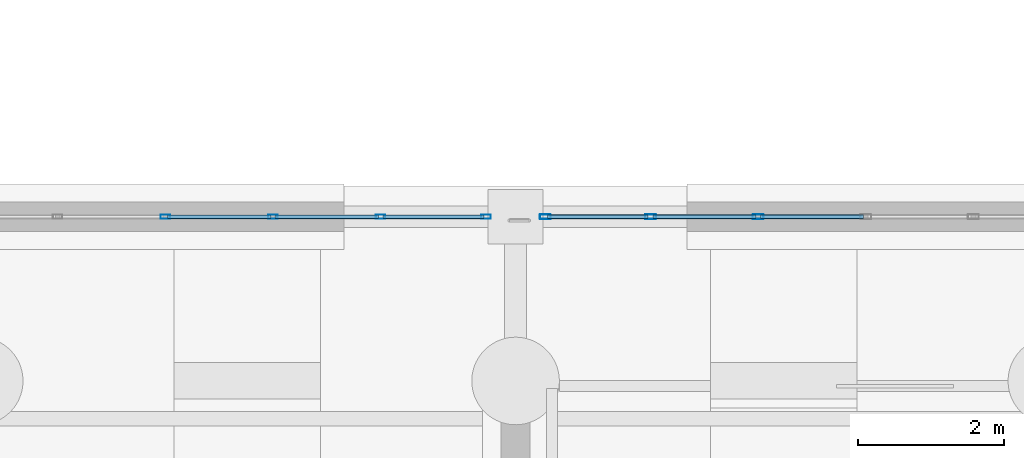
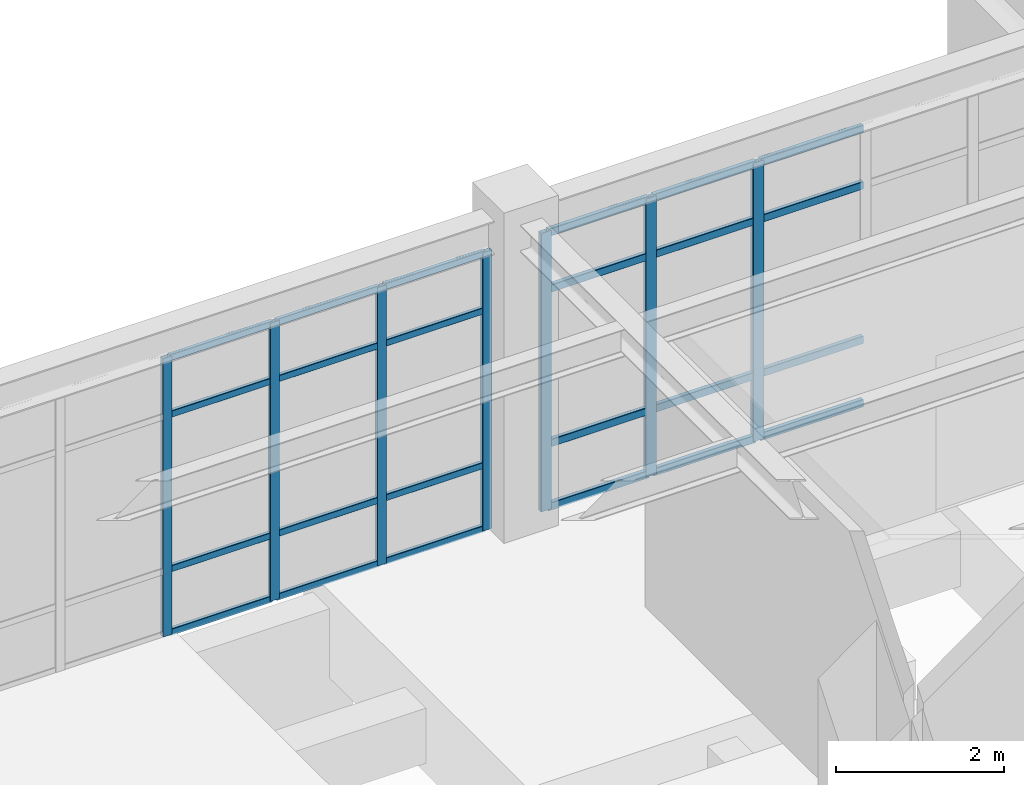
# One storey, part 50 of 111: 31 members, 2 elements without a shape of their own.
"""IFC4 building model written with IfcOpenShell, lengths in metres."""

from ifc_helpers import new_model, si_unit, direction, frame, origin, origin_2d, place, context, subcontext, project, spatial, hollow_rectangle, extrude, material, material_profile, profile_set, type_object, element, aggregate, save


model = new_model("IFC4")

# Units and contexts
model_context = context("Model", 3, precision=1e-05, world=origin(), true_north=direction((0.0, 1.0)))
body_context = subcontext(model_context, "Body", "Model", "MODEL_VIEW")
ifc_project = project(units=[si_unit("LENGTHUNIT", "METRE"), si_unit("AREAUNIT", "SQUARE_METRE"), si_unit("VOLUMEUNIT", "CUBIC_METRE"), si_unit("PLANEANGLEUNIT", "RADIAN"), si_unit("MASSUNIT", "GRAM", prefix="KILO")], contexts=[model_context])

# Site, building, storey
site_placement = place(None, origin())
site = spatial("IfcSite", under=ifc_project, at=site_placement, CompositionType="ELEMENT")
building_placement = place(site_placement, origin())
building = spatial("IfcBuilding", under=site, at=building_placement, Name="Canglan Escarpment Cableway Terminal", CompositionType="ELEMENT")
storey_placement = place(building_placement, frame((0.0, 0.0, 4.800048828125)))
storey = spatial("IfcBuildingStorey", under=building, at=storey_placement, Name="L01", CompositionType="ELEMENT", Elevation=4.800048828125)

# Curtain wall, members
ifc_material_1 = material(Name="Anodized bronze aluminium and Low-E double glazing", Category="aluminium")
curtain_wall_type = type_object("IfcCurtainWallType", Name="CW-BAY-8850x4050", PredefinedType="NOTDEFINED", material=ifc_material_1)
curtain_wall_1_placement = place(storey_placement, origin())
curtain_wall_1 = element("IfcCurtainWall", 1, at=curtain_wall_1_placement, inside=storey, type_object=curtain_wall_type, Name="Classical bay-between-piers glazed curtain wall CW-25", PredefinedType="NOTDEFINED")
ifc_material_2 = material(Name="Thermally broken anodized aluminium 6063-T6", Category="aluminium")
ifc_material_profile_1 = material_profile(ifc_material_2, hollow_rectangle(XDim=0.06005859375, YDim=0.1298828125, WallThickness=0.0029296875, InnerFilletRadius=0.0029296875, OuterFilletRadius=0.006103515625, at=origin_2d()), Name="ALU-MULL 60x130x3")
ifc_profile_set_1 = profile_set([ifc_material_profile_1], Name="Thermally broken anodized aluminium 6063-T6")
member_type_1 = type_object("IfcMemberType", Name="CWM-01", PredefinedType="MULLION", material=ifc_profile_set_1)
member_1_placement = place(storey_placement, frame((156.39501953125, 33.10009765625, 0.0), z_axis=(0.0, 0.0, 1.0), x_axis=(0.0, -1.0, 0.0)))
member_1 = element("IfcMember", 2, at=member_1_placement, type_object=member_type_1, Name="CW-25 mullion 1", PredefinedType="MULLION", context=body_context, shape_type="SweptSolid", body=[
    extrude(hollow_rectangle(XDim=0.06005859375, YDim=0.1298828125, WallThickness=0.0029296875, InnerFilletRadius=0.0029296875, OuterFilletRadius=0.006103515625, at=origin_2d()), origin(), (0.0, 0.0, 1.0), 4.046875),
])
member_2_placement = place(storey_placement, frame((154.949951171875, 33.10009765625, 0.0), z_axis=(0.0, 0.0, 1.0), x_axis=(0.0, -1.0, 0.0)))
member_2 = element("IfcMember", 3, at=member_2_placement, type_object=member_type_1, Name="CW-25 mullion 2", PredefinedType="MULLION", context=body_context, shape_type="SweptSolid", body=[
    extrude(hollow_rectangle(XDim=0.06005859375, YDim=0.1298828125, WallThickness=0.0029296875, InnerFilletRadius=0.0029296875, OuterFilletRadius=0.006103515625, at=origin_2d()), origin(), (0.0, 0.0, 1.0), 4.046875),
])
member_3_placement = place(storey_placement, frame((153.47509765625, 33.10009765625, 0.0), z_axis=(0.0, 0.0, 1.0), x_axis=(0.0, -1.0, 0.0)))
member_3 = element("IfcMember", 4, at=member_3_placement, type_object=member_type_1, Name="CW-25 mullion 3", PredefinedType="MULLION", context=body_context, shape_type="SweptSolid", body=[
    extrude(hollow_rectangle(XDim=0.06005859375, YDim=0.1298828125, WallThickness=0.0029296875, InnerFilletRadius=0.0029296875, OuterFilletRadius=0.006103515625, at=origin_2d()), origin(), (0.0, 0.0, 1.0), 4.046875),
])
member_4_placement = place(storey_placement, frame((152.0, 33.10009765625, 0.0), z_axis=(0.0, 0.0, 1.0), x_axis=(0.0, -1.0, 0.0)))
member_4 = element("IfcMember", 5, at=member_4_placement, type_object=member_type_1, Name="CW-25 mullion 4", PredefinedType="MULLION", context=body_context, shape_type="SweptSolid", body=[
    extrude(hollow_rectangle(XDim=0.06005859375, YDim=0.1298828125, WallThickness=0.0029296875, InnerFilletRadius=0.0029296875, OuterFilletRadius=0.006103515625, at=origin_2d()), origin(), (0.0, 0.0, 1.0), 4.046875),
])

curtain_wall_2_placement = place(storey_placement, origin())
curtain_wall_2 = element("IfcCurtainWall", 6, at=curtain_wall_2_placement, inside=storey, type_object=curtain_wall_type, Name="Classical bay-between-piers glazed curtain wall CW-25", PredefinedType="NOTDEFINED")
ifc_material_profile_2 = material_profile(ifc_material_2, hollow_rectangle(XDim=0.06494140625, YDim=0.14990234375, WallThickness=0.00341796875, InnerFilletRadius=0.00341796875, OuterFilletRadius=0.007080078125, at=origin_2d()), Name="ALU-MULL 65x150x3.5")
ifc_profile_set_2 = profile_set([ifc_material_profile_2], Name="Thermally broken anodized aluminium 6063-T6")
member_type_2 = type_object("IfcMemberType", Name="CWM-02", PredefinedType="MULLION", material=ifc_profile_set_2)
member_5_placement = place(storey_placement, frame((160.125, 33.10009765625, 0.0), z_axis=(0.0, 0.0, 1.0), x_axis=(0.0, -1.0, 0.0)))
member_5 = element("IfcMember", 7, at=member_5_placement, type_object=member_type_2, Name="CW-25 mullion 5", PredefinedType="MULLION", context=body_context, shape_type="SweptSolid", body=[
    extrude(hollow_rectangle(XDim=0.06494140625, YDim=0.14990234375, WallThickness=0.00341796875, InnerFilletRadius=0.00341796875, OuterFilletRadius=0.007080078125, at=origin_2d()), origin(), (0.0, 0.0, 1.0), 4.046875),
])
member_6_placement = place(storey_placement, frame((158.64990234375, 33.10009765625, 0.0), z_axis=(0.0, 0.0, 1.0), x_axis=(0.0, -1.0, 0.0)))
member_6 = element("IfcMember", 8, at=member_6_placement, type_object=member_type_2, Name="CW-25 mullion 6", PredefinedType="MULLION", context=body_context, shape_type="SweptSolid", body=[
    extrude(hollow_rectangle(XDim=0.06494140625, YDim=0.14990234375, WallThickness=0.00341796875, InnerFilletRadius=0.00341796875, OuterFilletRadius=0.007080078125, at=origin_2d()), origin(), (0.0, 0.0, 1.0), 4.046875),
])
member_7_placement = place(storey_placement, frame((157.20751953125, 33.10009765625, 0.0), z_axis=(0.0, 0.0, 1.0), x_axis=(0.0, -1.0, 0.0)))
member_7 = element("IfcMember", 9, at=member_7_placement, type_object=member_type_2, Name="CW-25 mullion 7", PredefinedType="MULLION", context=body_context, shape_type="SweptSolid", body=[
    extrude(hollow_rectangle(XDim=0.06494140625, YDim=0.14990234375, WallThickness=0.00341796875, InnerFilletRadius=0.00341796875, OuterFilletRadius=0.007080078125, at=origin_2d()), origin(), (0.0, 0.0, 1.0), 4.046875),
])

# Member
ifc_material_profile_3 = material_profile(ifc_material_2, hollow_rectangle(XDim=0.054931640625, YDim=0.094970703125, WallThickness=0.0029296875, InnerFilletRadius=0.0029296875, OuterFilletRadius=0.006103515625, at=origin_2d()), Name="ALU-TRAN 55x95x3")
ifc_profile_set_3 = profile_set([ifc_material_profile_3], Name="Thermally broken anodized aluminium 6063-T6")
member_type_3 = type_object("IfcMemberType", Name="CWT-01", PredefinedType="USERDEFINED", material=ifc_profile_set_3)
member_8_placement = place(storey_placement, frame((156.364990234375, 33.10009765625, 0.02734375), z_axis=(-1.0, 0.0, 0.0), x_axis=(0.0, -1.0, 0.0)))
member_8 = element("IfcMember", 10, at=member_8_placement, type_object=member_type_3, Name="CW-25 transom 1.1", ObjectType="TRANSOM", PredefinedType="USERDEFINED", context=body_context, shape_type="SweptSolid", body=[
    extrude(hollow_rectangle(XDim=0.054931640625, YDim=0.094970703125, WallThickness=0.0029296875, InnerFilletRadius=0.0029296875, OuterFilletRadius=0.006103515625, at=origin_2d()), origin(), (0.0, 0.0, 1.0), 1.385009765625),
])

member_9_placement = place(storey_placement, frame((156.364990234375, 33.10009765625, 0.949951171875), z_axis=(-1.0, 0.0, 0.0), x_axis=(0.0, -1.0, 0.0)))
member_9 = element("IfcMember", 11, at=member_9_placement, type_object=member_type_3, Name="CW-25 transom 1.2", ObjectType="TRANSOM", PredefinedType="USERDEFINED", context=body_context, shape_type="SweptSolid", body=[
    extrude(hollow_rectangle(XDim=0.054931640625, YDim=0.094970703125, WallThickness=0.0029296875, InnerFilletRadius=0.0029296875, OuterFilletRadius=0.006103515625, at=origin_2d()), origin(), (0.0, 0.0, 1.0), 1.385009765625),
])

member_10_placement = place(storey_placement, frame((156.364990234375, 33.10009765625, 3.197021484375), z_axis=(-1.0, 0.0, 0.0), x_axis=(0.0, -1.0, 0.0)))
member_10 = element("IfcMember", 12, at=member_10_placement, type_object=member_type_3, Name="CW-25 transom 1.3", ObjectType="TRANSOM", PredefinedType="USERDEFINED", context=body_context, shape_type="SweptSolid", body=[
    extrude(hollow_rectangle(XDim=0.054931640625, YDim=0.094970703125, WallThickness=0.0029296875, InnerFilletRadius=0.0029296875, OuterFilletRadius=0.006103515625, at=origin_2d()), origin(), (0.0, 0.0, 1.0), 1.385009765625),
])

member_11_placement = place(storey_placement, frame((156.364990234375, 33.10009765625, 4.01953125), z_axis=(-1.0, 0.0, 0.0), x_axis=(0.0, -1.0, 0.0)))
member_11 = element("IfcMember", 13, at=member_11_placement, type_object=member_type_3, Name="CW-25 transom 1.4", ObjectType="TRANSOM", PredefinedType="USERDEFINED", context=body_context, shape_type="SweptSolid", body=[
    extrude(hollow_rectangle(XDim=0.054931640625, YDim=0.094970703125, WallThickness=0.0029296875, InnerFilletRadius=0.0029296875, OuterFilletRadius=0.006103515625, at=origin_2d()), origin(), (0.0, 0.0, 1.0), 1.385009765625),
])

member_12_placement = place(storey_placement, frame((154.919921875, 33.10009765625, 0.02734375), z_axis=(-1.0, 0.0, 0.0), x_axis=(0.0, -1.0, 0.0)))
member_12 = element("IfcMember", 14, at=member_12_placement, type_object=member_type_3, Name="CW-25 transom 2.1", ObjectType="TRANSOM", PredefinedType="USERDEFINED", context=body_context, shape_type="SweptSolid", body=[
    extrude(hollow_rectangle(XDim=0.054931640625, YDim=0.094970703125, WallThickness=0.0029296875, InnerFilletRadius=0.0029296875, OuterFilletRadius=0.006103515625, at=origin_2d()), origin(), (0.0, 0.0, 1.0), 1.4150390625),
])

member_13_placement = place(storey_placement, frame((154.919921875, 33.10009765625, 0.949951171875), z_axis=(-1.0, 0.0, 0.0), x_axis=(0.0, -1.0, 0.0)))
member_13 = element("IfcMember", 15, at=member_13_placement, type_object=member_type_3, Name="CW-25 transom 2.2", ObjectType="TRANSOM", PredefinedType="USERDEFINED", context=body_context, shape_type="SweptSolid", body=[
    extrude(hollow_rectangle(XDim=0.054931640625, YDim=0.094970703125, WallThickness=0.0029296875, InnerFilletRadius=0.0029296875, OuterFilletRadius=0.006103515625, at=origin_2d()), origin(), (0.0, 0.0, 1.0), 1.4150390625),
])

member_14_placement = place(storey_placement, frame((154.919921875, 33.10009765625, 3.197021484375), z_axis=(-1.0, 0.0, 0.0), x_axis=(0.0, -1.0, 0.0)))
member_14 = element("IfcMember", 16, at=member_14_placement, type_object=member_type_3, Name="CW-25 transom 2.3", ObjectType="TRANSOM", PredefinedType="USERDEFINED", context=body_context, shape_type="SweptSolid", body=[
    extrude(hollow_rectangle(XDim=0.054931640625, YDim=0.094970703125, WallThickness=0.0029296875, InnerFilletRadius=0.0029296875, OuterFilletRadius=0.006103515625, at=origin_2d()), origin(), (0.0, 0.0, 1.0), 1.4150390625),
])

member_15_placement = place(storey_placement, frame((154.919921875, 33.10009765625, 4.01953125), z_axis=(-1.0, 0.0, 0.0), x_axis=(0.0, -1.0, 0.0)))
member_15 = element("IfcMember", 17, at=member_15_placement, type_object=member_type_3, Name="CW-25 transom 2.4", ObjectType="TRANSOM", PredefinedType="USERDEFINED", context=body_context, shape_type="SweptSolid", body=[
    extrude(hollow_rectangle(XDim=0.054931640625, YDim=0.094970703125, WallThickness=0.0029296875, InnerFilletRadius=0.0029296875, OuterFilletRadius=0.006103515625, at=origin_2d()), origin(), (0.0, 0.0, 1.0), 1.4150390625),
])

member_16_placement = place(storey_placement, frame((153.445068359375, 33.10009765625, 0.02734375), z_axis=(-1.0, 0.0, 0.0), x_axis=(0.0, -1.0, 0.0)))
member_16 = element("IfcMember", 18, at=member_16_placement, type_object=member_type_3, Name="CW-25 transom 3.1", ObjectType="TRANSOM", PredefinedType="USERDEFINED", context=body_context, shape_type="SweptSolid", body=[
    extrude(hollow_rectangle(XDim=0.054931640625, YDim=0.094970703125, WallThickness=0.0029296875, InnerFilletRadius=0.0029296875, OuterFilletRadius=0.006103515625, at=origin_2d()), origin(), (0.0, 0.0, 1.0), 1.4150390625),
])

member_17_placement = place(storey_placement, frame((153.445068359375, 33.10009765625, 0.949951171875), z_axis=(-1.0, 0.0, 0.0), x_axis=(0.0, -1.0, 0.0)))
member_17 = element("IfcMember", 19, at=member_17_placement, type_object=member_type_3, Name="CW-25 transom 3.2", ObjectType="TRANSOM", PredefinedType="USERDEFINED", context=body_context, shape_type="SweptSolid", body=[
    extrude(hollow_rectangle(XDim=0.054931640625, YDim=0.094970703125, WallThickness=0.0029296875, InnerFilletRadius=0.0029296875, OuterFilletRadius=0.006103515625, at=origin_2d()), origin(), (0.0, 0.0, 1.0), 1.4150390625),
])

member_18_placement = place(storey_placement, frame((153.445068359375, 33.10009765625, 3.197021484375), z_axis=(-1.0, 0.0, 0.0), x_axis=(0.0, -1.0, 0.0)))
member_18 = element("IfcMember", 20, at=member_18_placement, type_object=member_type_3, Name="CW-25 transom 3.3", ObjectType="TRANSOM", PredefinedType="USERDEFINED", context=body_context, shape_type="SweptSolid", body=[
    extrude(hollow_rectangle(XDim=0.054931640625, YDim=0.094970703125, WallThickness=0.0029296875, InnerFilletRadius=0.0029296875, OuterFilletRadius=0.006103515625, at=origin_2d()), origin(), (0.0, 0.0, 1.0), 1.4150390625),
])

member_19_placement = place(storey_placement, frame((153.445068359375, 33.10009765625, 4.01953125), z_axis=(-1.0, 0.0, 0.0), x_axis=(0.0, -1.0, 0.0)))
member_19 = element("IfcMember", 21, at=member_19_placement, type_object=member_type_3, Name="CW-25 transom 3.4", ObjectType="TRANSOM", PredefinedType="USERDEFINED", context=body_context, shape_type="SweptSolid", body=[
    extrude(hollow_rectangle(XDim=0.054931640625, YDim=0.094970703125, WallThickness=0.0029296875, InnerFilletRadius=0.0029296875, OuterFilletRadius=0.006103515625, at=origin_2d()), origin(), (0.0, 0.0, 1.0), 1.4150390625),
])

aggregate(curtain_wall_1, [member_1, member_2, member_3, member_4, member_8, member_9, member_10, member_11, member_12, member_13, member_14, member_15, member_16, member_17, member_18, member_19])

ifc_material_profile_4 = material_profile(ifc_material_2, hollow_rectangle(XDim=0.06005859375, YDim=0.110107421875, WallThickness=0.0029296875, InnerFilletRadius=0.0029296875, OuterFilletRadius=0.006103515625, at=origin_2d()), Name="ALU-TRAN 60x110x3")
ifc_profile_set_4 = profile_set([ifc_material_profile_4], Name="Thermally broken anodized aluminium 6063-T6")
member_type_4 = type_object("IfcMemberType", Name="CWT-02", PredefinedType="USERDEFINED", material=ifc_profile_set_4)
member_20_placement = place(storey_placement, frame((161.5673828125, 33.10009765625, 0.030029296875), z_axis=(-1.0, 0.0, 0.0), x_axis=(0.0, -1.0, 0.0)))
member_20 = element("IfcMember", 22, at=member_20_placement, type_object=member_type_4, Name="CW-25 transom 4.1", ObjectType="TRANSOM", PredefinedType="USERDEFINED", context=body_context, shape_type="SweptSolid", body=[
    extrude(hollow_rectangle(XDim=0.06005859375, YDim=0.110107421875, WallThickness=0.0029296875, InnerFilletRadius=0.0029296875, OuterFilletRadius=0.006103515625, at=origin_2d()), origin(), (0.0, 0.0, 1.0), 1.409912109375),
])

member_21_placement = place(storey_placement, frame((161.5673828125, 33.10009765625, 0.949951171875), z_axis=(-1.0, 0.0, 0.0), x_axis=(0.0, -1.0, 0.0)))
member_21 = element("IfcMember", 23, at=member_21_placement, type_object=member_type_4, Name="CW-25 transom 4.2", ObjectType="TRANSOM", PredefinedType="USERDEFINED", context=body_context, shape_type="SweptSolid", body=[
    extrude(hollow_rectangle(XDim=0.06005859375, YDim=0.110107421875, WallThickness=0.0029296875, InnerFilletRadius=0.0029296875, OuterFilletRadius=0.006103515625, at=origin_2d()), origin(), (0.0, 0.0, 1.0), 1.409912109375),
])

member_22_placement = place(storey_placement, frame((161.5673828125, 33.10009765625, 3.197021484375), z_axis=(-1.0, 0.0, 0.0), x_axis=(0.0, -1.0, 0.0)))
member_22 = element("IfcMember", 24, at=member_22_placement, type_object=member_type_4, Name="CW-25 transom 4.3", ObjectType="TRANSOM", PredefinedType="USERDEFINED", context=body_context, shape_type="SweptSolid", body=[
    extrude(hollow_rectangle(XDim=0.06005859375, YDim=0.110107421875, WallThickness=0.0029296875, InnerFilletRadius=0.0029296875, OuterFilletRadius=0.006103515625, at=origin_2d()), origin(), (0.0, 0.0, 1.0), 1.409912109375),
])

member_23_placement = place(storey_placement, frame((161.5673828125, 33.10009765625, 4.016845703125), z_axis=(-1.0, 0.0, 0.0), x_axis=(0.0, -1.0, 0.0)))
member_23 = element("IfcMember", 25, at=member_23_placement, type_object=member_type_4, Name="CW-25 transom 4.4", ObjectType="TRANSOM", PredefinedType="USERDEFINED", context=body_context, shape_type="SweptSolid", body=[
    extrude(hollow_rectangle(XDim=0.06005859375, YDim=0.110107421875, WallThickness=0.0029296875, InnerFilletRadius=0.0029296875, OuterFilletRadius=0.006103515625, at=origin_2d()), origin(), (0.0, 0.0, 1.0), 1.409912109375),
])

member_24_placement = place(storey_placement, frame((160.092529296875, 33.10009765625, 0.030029296875), z_axis=(-1.0, 0.0, 0.0), x_axis=(0.0, -1.0, 0.0)))
member_24 = element("IfcMember", 26, at=member_24_placement, type_object=member_type_4, Name="CW-25 transom 5.1", ObjectType="TRANSOM", PredefinedType="USERDEFINED", context=body_context, shape_type="SweptSolid", body=[
    extrude(hollow_rectangle(XDim=0.06005859375, YDim=0.110107421875, WallThickness=0.0029296875, InnerFilletRadius=0.0029296875, OuterFilletRadius=0.006103515625, at=origin_2d()), origin(), (0.0, 0.0, 1.0), 1.409912109375),
])

member_25_placement = place(storey_placement, frame((160.092529296875, 33.10009765625, 0.949951171875), z_axis=(-1.0, 0.0, 0.0), x_axis=(0.0, -1.0, 0.0)))
member_25 = element("IfcMember", 27, at=member_25_placement, type_object=member_type_4, Name="CW-25 transom 5.2", ObjectType="TRANSOM", PredefinedType="USERDEFINED", context=body_context, shape_type="SweptSolid", body=[
    extrude(hollow_rectangle(XDim=0.06005859375, YDim=0.110107421875, WallThickness=0.0029296875, InnerFilletRadius=0.0029296875, OuterFilletRadius=0.006103515625, at=origin_2d()), origin(), (0.0, 0.0, 1.0), 1.409912109375),
])

member_26_placement = place(storey_placement, frame((160.092529296875, 33.10009765625, 3.197021484375), z_axis=(-1.0, 0.0, 0.0), x_axis=(0.0, -1.0, 0.0)))
member_26 = element("IfcMember", 28, at=member_26_placement, type_object=member_type_4, Name="CW-25 transom 5.3", ObjectType="TRANSOM", PredefinedType="USERDEFINED", context=body_context, shape_type="SweptSolid", body=[
    extrude(hollow_rectangle(XDim=0.06005859375, YDim=0.110107421875, WallThickness=0.0029296875, InnerFilletRadius=0.0029296875, OuterFilletRadius=0.006103515625, at=origin_2d()), origin(), (0.0, 0.0, 1.0), 1.409912109375),
])

member_27_placement = place(storey_placement, frame((160.092529296875, 33.10009765625, 4.016845703125), z_axis=(-1.0, 0.0, 0.0), x_axis=(0.0, -1.0, 0.0)))
member_27 = element("IfcMember", 29, at=member_27_placement, type_object=member_type_4, Name="CW-25 transom 5.4", ObjectType="TRANSOM", PredefinedType="USERDEFINED", context=body_context, shape_type="SweptSolid", body=[
    extrude(hollow_rectangle(XDim=0.06005859375, YDim=0.110107421875, WallThickness=0.0029296875, InnerFilletRadius=0.0029296875, OuterFilletRadius=0.006103515625, at=origin_2d()), origin(), (0.0, 0.0, 1.0), 1.409912109375),
])

member_28_placement = place(storey_placement, frame((158.617431640625, 33.10009765625, 0.030029296875), z_axis=(-1.0, 0.0, 0.0), x_axis=(0.0, -1.0, 0.0)))
member_28 = element("IfcMember", 30, at=member_28_placement, type_object=member_type_4, Name="CW-25 transom 6.1", ObjectType="TRANSOM", PredefinedType="USERDEFINED", context=body_context, shape_type="SweptSolid", body=[
    extrude(hollow_rectangle(XDim=0.06005859375, YDim=0.110107421875, WallThickness=0.0029296875, InnerFilletRadius=0.0029296875, OuterFilletRadius=0.006103515625, at=origin_2d()), origin(), (0.0, 0.0, 1.0), 1.37744140625),
])

member_29_placement = place(storey_placement, frame((158.617431640625, 33.10009765625, 0.949951171875), z_axis=(-1.0, 0.0, 0.0), x_axis=(0.0, -1.0, 0.0)))
member_29 = element("IfcMember", 31, at=member_29_placement, type_object=member_type_4, Name="CW-25 transom 6.2", ObjectType="TRANSOM", PredefinedType="USERDEFINED", context=body_context, shape_type="SweptSolid", body=[
    extrude(hollow_rectangle(XDim=0.06005859375, YDim=0.110107421875, WallThickness=0.0029296875, InnerFilletRadius=0.0029296875, OuterFilletRadius=0.006103515625, at=origin_2d()), origin(), (0.0, 0.0, 1.0), 1.37744140625),
])

member_30_placement = place(storey_placement, frame((158.617431640625, 33.10009765625, 3.197021484375), z_axis=(-1.0, 0.0, 0.0), x_axis=(0.0, -1.0, 0.0)))
member_30 = element("IfcMember", 32, at=member_30_placement, type_object=member_type_4, Name="CW-25 transom 6.3", ObjectType="TRANSOM", PredefinedType="USERDEFINED", context=body_context, shape_type="SweptSolid", body=[
    extrude(hollow_rectangle(XDim=0.06005859375, YDim=0.110107421875, WallThickness=0.0029296875, InnerFilletRadius=0.0029296875, OuterFilletRadius=0.006103515625, at=origin_2d()), origin(), (0.0, 0.0, 1.0), 1.37744140625),
])

member_31_placement = place(storey_placement, frame((158.617431640625, 33.10009765625, 4.016845703125), z_axis=(-1.0, 0.0, 0.0), x_axis=(0.0, -1.0, 0.0)))
member_31 = element("IfcMember", 33, at=member_31_placement, type_object=member_type_4, Name="CW-25 transom 6.4", ObjectType="TRANSOM", PredefinedType="USERDEFINED", context=body_context, shape_type="SweptSolid", body=[
    extrude(hollow_rectangle(XDim=0.06005859375, YDim=0.110107421875, WallThickness=0.0029296875, InnerFilletRadius=0.0029296875, OuterFilletRadius=0.006103515625, at=origin_2d()), origin(), (0.0, 0.0, 1.0), 1.37744140625),
])

aggregate(curtain_wall_2, [member_5, member_6, member_7, member_20, member_21, member_22, member_23, member_24, member_25, member_26, member_27, member_28, member_29, member_30, member_31])

save(model, "model.ifc")
